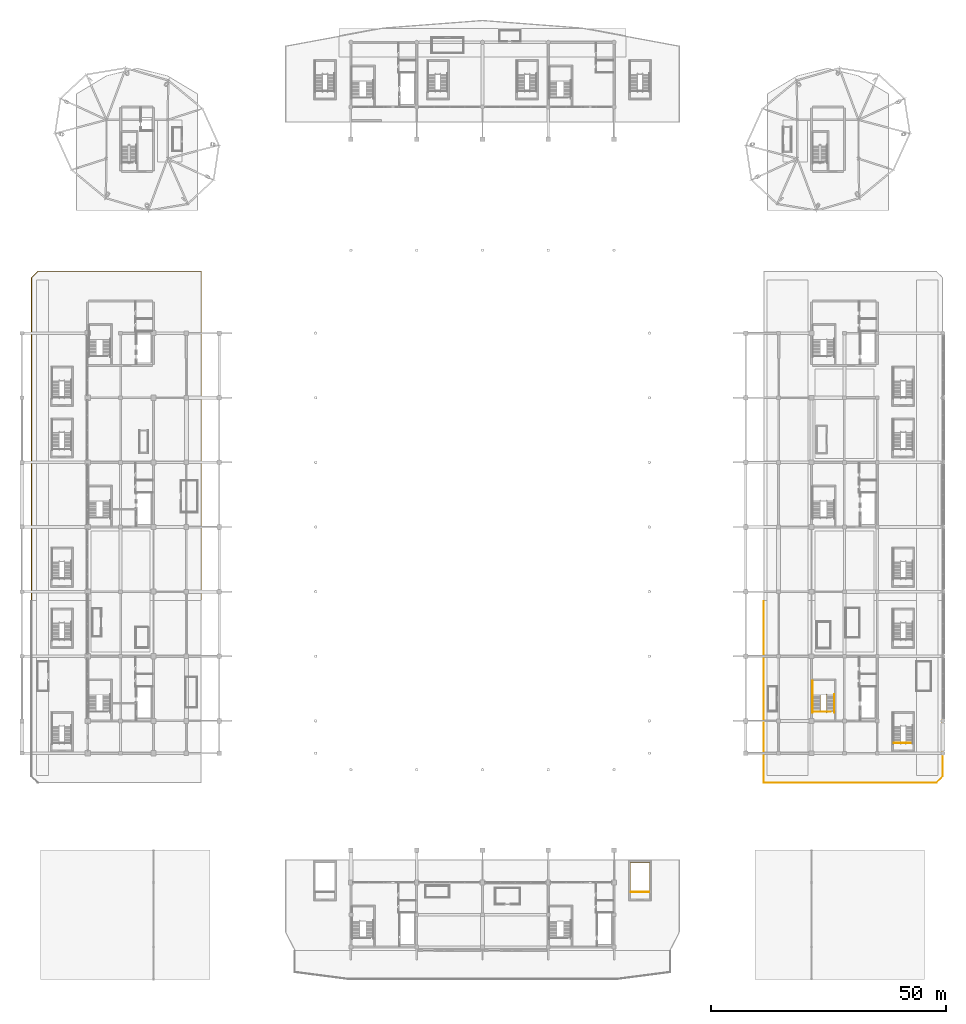
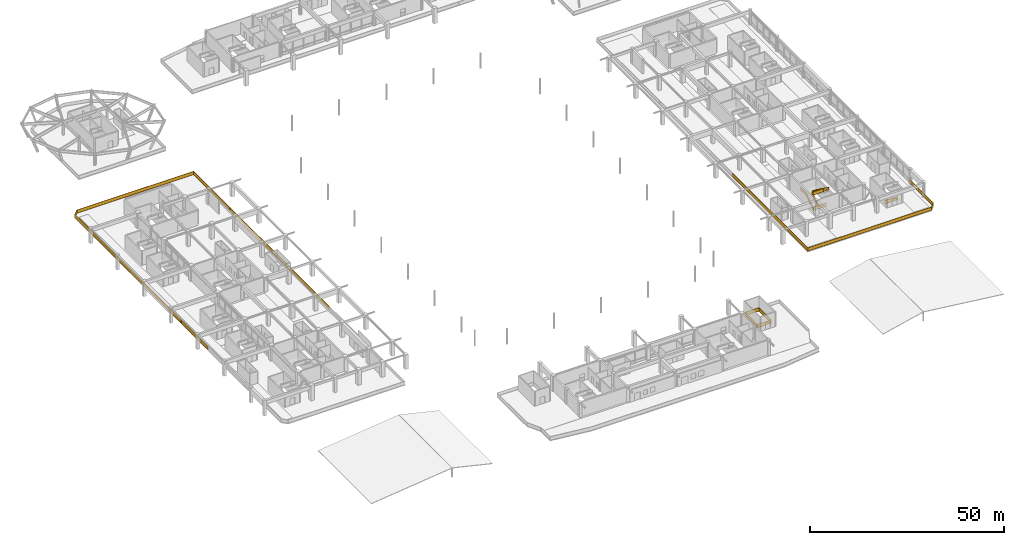
# One storey, part 83 of 91: 10 railings.
"""IFC4 building model written with IfcOpenShell, lengths in metres."""

from ifc_helpers import new_model, si_unit, direction, frame, origin, origin_2d, place, context, subcontext, project, spatial, rectangle, extrude, material, type_object, element, save


model = new_model("IFC4")

# Units and contexts
model_context = context("Model", 3, precision=1e-05, world=origin(), true_north=direction((0.0, 1.0)))
body_context = subcontext(model_context, "Body", "Model", "MODEL_VIEW")
ifc_project = project(units=[si_unit("LENGTHUNIT", "METRE"), si_unit("AREAUNIT", "SQUARE_METRE"), si_unit("VOLUMEUNIT", "CUBIC_METRE"), si_unit("PLANEANGLEUNIT", "RADIAN"), si_unit("MASSUNIT", "GRAM", prefix="KILO")], contexts=[model_context])

# Site, building, storey
site_placement = place(None, origin())
site = spatial("IfcSite", under=ifc_project, at=site_placement, CompositionType="ELEMENT")
building_placement = place(site_placement, origin())
building = spatial("IfcBuilding", under=site, at=building_placement, Name="Linyun Crest Stadium", CompositionType="ELEMENT")
storey_placement = place(building_placement, frame((0.0, 0.0, 11.39990234375)))
storey = spatial("IfcBuildingStorey", under=building, at=storey_placement, Name="L03", CompositionType="ELEMENT", Elevation=11.39990234375)

# Railings
ifc_material_1 = material(Name="Galvanized and powder-coated steel bowl safety barrier", Category="steel")
railing_type_1 = type_object("IfcRailingType", Name="GR02", PredefinedType="GUARDRAIL", material=ifc_material_1)
railing_1_placement = place(storey_placement, frame((-95.93994140625, -13.330078125, 0.0)))
element("IfcRailing", 1, at=railing_1_placement, inside=storey, type_object=railing_type_1, Name="Slab edge balustrade GR02 44", PredefinedType="GUARDRAIL", context=body_context, shape_type="SweptSolid", body=[
    extrude(rectangle(XDim=0.06005859375, YDim=0.06005859375, at=origin_2d()), frame((0.0, 0.0, 1.090087890625), z_axis=(0.0, 1.0, 0.0), x_axis=(-1.0, 0.0, 0.0)), (0.0, 0.0, 1.0), 68.489990234375),
    extrude(rectangle(XDim=0.030029296875, YDim=1.0, at=origin_2d()), frame((0.0, 0.0, 0.56005859375), z_axis=(0.0, 1.0, 0.0), x_axis=(-1.0, 0.0, 0.0)), (0.0, 0.0, 1.0), 68.489990234375),
    extrude(rectangle(XDim=0.06005859375, YDim=0.06005859375, at=origin_2d()), frame((0.0, 0.0, 0.030029296875), z_axis=(0.0, 1.0, 0.0), x_axis=(-1.0, 0.0, 0.0)), (0.0, 0.0, 1.0), 68.489990234375),
    extrude(rectangle(XDim=0.06005859375, YDim=0.06005859375, at=origin_2d()), frame((0.0, 68.489990234375, 1.090087890625), z_axis=(0.707106781187, 0.707106781187, 0.0), x_axis=(-0.707106781187, 0.707106781187, 0.0)), (0.0, 0.0, 1.0), 1.930419921875),
    extrude(rectangle(XDim=0.030029296875, YDim=1.0, at=origin_2d()), frame((0.0, 68.489990234375, 0.56005859375), z_axis=(0.707106781187, 0.707106781187, 0.0), x_axis=(-0.707106781187, 0.707106781187, 0.0)), (0.0, 0.0, 1.0), 1.930419921875),
    extrude(rectangle(XDim=0.06005859375, YDim=0.06005859375, at=origin_2d()), frame((0.0, 68.489990234375, 0.030029296875), z_axis=(0.707106781187, 0.707106781187, 0.0), x_axis=(-0.707106781187, 0.707106781187, 0.0)), (0.0, 0.0, 1.0), 1.930419921875),
    extrude(rectangle(XDim=0.06005859375, YDim=0.06005859375, at=origin_2d()), frame((1.364990234375, 69.85498046875, 1.090087890625), z_axis=(1.0, 0.0, 0.0), x_axis=(0.0, 1.0, 0.0)), (0.0, 0.0, 1.0), 34.71484375),
    extrude(rectangle(XDim=0.030029296875, YDim=1.0, at=origin_2d()), frame((1.364990234375, 69.85498046875, 0.56005859375), z_axis=(1.0, 0.0, 0.0), x_axis=(0.0, 1.0, 0.0)), (0.0, 0.0, 1.0), 34.71484375),
    extrude(rectangle(XDim=0.06005859375, YDim=0.06005859375, at=origin_2d()), frame((1.364990234375, 69.85498046875, 0.030029296875), z_axis=(1.0, 0.0, 0.0), x_axis=(0.0, 1.0, 0.0)), (0.0, 0.0, 1.0), 34.71484375),
    extrude(rectangle(XDim=0.06005859375, YDim=0.06005859375, at=origin_2d()), frame((36.079833984375, 69.85498046875, 1.090087890625), z_axis=(0.0, -1.0, 0.0), x_axis=(1.0, 0.0, 0.0)), (0.0, 0.0, 1.0), 69.85498046875),
    extrude(rectangle(XDim=0.030029296875, YDim=1.0, at=origin_2d()), frame((36.079833984375, 69.85498046875, 0.56005859375), z_axis=(0.0, -1.0, 0.0), x_axis=(1.0, 0.0, 0.0)), (0.0, 0.0, 1.0), 69.85498046875),
    extrude(rectangle(XDim=0.06005859375, YDim=0.06005859375, at=origin_2d()), frame((36.079833984375, 69.85498046875, 0.030029296875), z_axis=(0.0, -1.0, 0.0), x_axis=(1.0, 0.0, 0.0)), (0.0, 0.0, 1.0), 69.85498046875),
    extrude(rectangle(XDim=0.050048828125, YDim=0.050048828125, at=origin_2d()), origin(), (0.0, 0.0, 1.0), 1.1201171875),
    extrude(rectangle(XDim=0.050048828125, YDim=0.050048828125, at=origin_2d()), frame((0.0, 4.56591796875, 0.0)), (0.0, 0.0, 1.0), 1.1201171875),
    extrude(rectangle(XDim=0.050048828125, YDim=0.050048828125, at=origin_2d()), frame((0.0, 9.132080078125, 0.0)), (0.0, 0.0, 1.0), 1.1201171875),
    extrude(rectangle(XDim=0.050048828125, YDim=0.050048828125, at=origin_2d()), frame((0.0, 13.697998046875, 0.0)), (0.0, 0.0, 1.0), 1.1201171875),
    extrude(rectangle(XDim=0.050048828125, YDim=0.050048828125, at=origin_2d()), frame((0.0, 18.263916015625, 0.0)), (0.0, 0.0, 1.0), 1.1201171875),
    extrude(rectangle(XDim=0.050048828125, YDim=0.050048828125, at=origin_2d()), frame((0.0, 22.830078125, 0.0)), (0.0, 0.0, 1.0), 1.1201171875),
    extrude(rectangle(XDim=0.050048828125, YDim=0.050048828125, at=origin_2d()), frame((0.0, 27.39599609375, 0.0)), (0.0, 0.0, 1.0), 1.1201171875),
    extrude(rectangle(XDim=0.050048828125, YDim=0.050048828125, at=origin_2d()), frame((0.0, 31.9619140625, 0.0)), (0.0, 0.0, 1.0), 1.1201171875),
    extrude(rectangle(XDim=0.050048828125, YDim=0.050048828125, at=origin_2d()), frame((0.0, 36.528076171875, 0.0)), (0.0, 0.0, 1.0), 1.1201171875),
    extrude(rectangle(XDim=0.050048828125, YDim=0.050048828125, at=origin_2d()), frame((0.0, 41.093994140625, 0.0)), (0.0, 0.0, 1.0), 1.1201171875),
    extrude(rectangle(XDim=0.050048828125, YDim=0.050048828125, at=origin_2d()), frame((0.0, 45.659912109375, 0.0)), (0.0, 0.0, 1.0), 1.1201171875),
    extrude(rectangle(XDim=0.050048828125, YDim=0.050048828125, at=origin_2d()), frame((0.0, 50.22607421875, 0.0)), (0.0, 0.0, 1.0), 1.1201171875),
    extrude(rectangle(XDim=0.050048828125, YDim=0.050048828125, at=origin_2d()), frame((0.0, 54.7919921875, 0.0)), (0.0, 0.0, 1.0), 1.1201171875),
    extrude(rectangle(XDim=0.050048828125, YDim=0.050048828125, at=origin_2d()), frame((0.0, 59.35791015625, 0.0)), (0.0, 0.0, 1.0), 1.1201171875),
    extrude(rectangle(XDim=0.050048828125, YDim=0.050048828125, at=origin_2d()), frame((0.0, 63.924072265625, 0.0)), (0.0, 0.0, 1.0), 1.1201171875),
    extrude(rectangle(XDim=0.050048828125, YDim=0.050048828125, at=origin_2d()), frame((0.0, 68.489990234375, 0.0)), (0.0, 0.0, 1.0), 1.1201171875),
    extrude(rectangle(XDim=0.050048828125, YDim=0.050048828125, at=origin_2d()), frame((1.364990234375, 69.85498046875, 0.0)), (0.0, 0.0, 1.0), 1.1201171875),
    extrude(rectangle(XDim=0.050048828125, YDim=0.050048828125, at=origin_2d()), frame((5.704345703125, 69.85498046875, 0.0)), (0.0, 0.0, 1.0), 1.1201171875),
    extrude(rectangle(XDim=0.050048828125, YDim=0.050048828125, at=origin_2d()), frame((10.043701171875, 69.85498046875, 0.0)), (0.0, 0.0, 1.0), 1.1201171875),
    extrude(rectangle(XDim=0.050048828125, YDim=0.050048828125, at=origin_2d()), frame((14.383056640625, 69.85498046875, 0.0)), (0.0, 0.0, 1.0), 1.1201171875),
    extrude(rectangle(XDim=0.050048828125, YDim=0.050048828125, at=origin_2d()), frame((18.722412109375, 69.85498046875, 0.0)), (0.0, 0.0, 1.0), 1.1201171875),
    extrude(rectangle(XDim=0.050048828125, YDim=0.050048828125, at=origin_2d()), frame((23.061767578125, 69.85498046875, 0.0)), (0.0, 0.0, 1.0), 1.1201171875),
    extrude(rectangle(XDim=0.050048828125, YDim=0.050048828125, at=origin_2d()), frame((27.401123046875, 69.85498046875, 0.0)), (0.0, 0.0, 1.0), 1.1201171875),
    extrude(rectangle(XDim=0.050048828125, YDim=0.050048828125, at=origin_2d()), frame((31.740478515625, 69.85498046875, 0.0)), (0.0, 0.0, 1.0), 1.1201171875),
    extrude(rectangle(XDim=0.050048828125, YDim=0.050048828125, at=origin_2d()), frame((36.079833984375, 69.85498046875, 0.0)), (0.0, 0.0, 1.0), 1.1201171875),
    extrude(rectangle(XDim=0.050048828125, YDim=0.050048828125, at=origin_2d()), frame((36.079833984375, 65.197998046875, 0.0)), (0.0, 0.0, 1.0), 1.1201171875),
    extrude(rectangle(XDim=0.050048828125, YDim=0.050048828125, at=origin_2d()), frame((36.079833984375, 60.541015625, 0.0)), (0.0, 0.0, 1.0), 1.1201171875),
    extrude(rectangle(XDim=0.050048828125, YDim=0.050048828125, at=origin_2d()), frame((36.079833984375, 55.884033203125, 0.0)), (0.0, 0.0, 1.0), 1.1201171875),
    extrude(rectangle(XDim=0.050048828125, YDim=0.050048828125, at=origin_2d()), frame((36.079833984375, 51.22705078125, 0.0)), (0.0, 0.0, 1.0), 1.1201171875),
    extrude(rectangle(XDim=0.050048828125, YDim=0.050048828125, at=origin_2d()), frame((36.079833984375, 46.570068359375, 0.0)), (0.0, 0.0, 1.0), 1.1201171875),
    extrude(rectangle(XDim=0.050048828125, YDim=0.050048828125, at=origin_2d()), frame((36.079833984375, 41.9130859375, 0.0)), (0.0, 0.0, 1.0), 1.1201171875),
    extrude(rectangle(XDim=0.050048828125, YDim=0.050048828125, at=origin_2d()), frame((36.079833984375, 37.256103515625, 0.0)), (0.0, 0.0, 1.0), 1.1201171875),
    extrude(rectangle(XDim=0.050048828125, YDim=0.050048828125, at=origin_2d()), frame((36.079833984375, 32.598876953125, 0.0)), (0.0, 0.0, 1.0), 1.1201171875),
    extrude(rectangle(XDim=0.050048828125, YDim=0.050048828125, at=origin_2d()), frame((36.079833984375, 27.94189453125, 0.0)), (0.0, 0.0, 1.0), 1.1201171875),
    extrude(rectangle(XDim=0.050048828125, YDim=0.050048828125, at=origin_2d()), frame((36.079833984375, 23.284912109375, 0.0)), (0.0, 0.0, 1.0), 1.1201171875),
    extrude(rectangle(XDim=0.050048828125, YDim=0.050048828125, at=origin_2d()), frame((36.079833984375, 18.6279296875, 0.0)), (0.0, 0.0, 1.0), 1.1201171875),
    extrude(rectangle(XDim=0.050048828125, YDim=0.050048828125, at=origin_2d()), frame((36.079833984375, 13.970947265625, 0.0)), (0.0, 0.0, 1.0), 1.1201171875),
    extrude(rectangle(XDim=0.050048828125, YDim=0.050048828125, at=origin_2d()), frame((36.079833984375, 9.31396484375, 0.0)), (0.0, 0.0, 1.0), 1.1201171875),
    extrude(rectangle(XDim=0.050048828125, YDim=0.050048828125, at=origin_2d()), frame((36.079833984375, 4.656982421875, 0.0)), (0.0, 0.0, 1.0), 1.1201171875),
    extrude(rectangle(XDim=0.050048828125, YDim=0.050048828125, at=origin_2d()), frame((36.079833984375, 0.0, 0.0)), (0.0, 0.0, 1.0), 1.1201171875),
])
railing_2_placement = place(storey_placement, frame((59.860107421875, -52.27490234375, 0.0)))
element("IfcRailing", 2, at=railing_2_placement, inside=storey, type_object=railing_type_1, Name="Slab edge balustrade GR02 136", PredefinedType="GUARDRAIL", context=body_context, shape_type="SweptSolid", body=[
    extrude(rectangle(XDim=0.06005859375, YDim=0.06005859375, at=origin_2d()), frame((0.0, 0.0, 1.090087890625), z_axis=(0.0, 1.0, 0.0), x_axis=(-1.0, 0.0, 0.0)), (0.0, 0.0, 1.0), 38.60498046875),
    extrude(rectangle(XDim=0.030029296875, YDim=1.0, at=origin_2d()), frame((0.0, 0.0, 0.56005859375), z_axis=(0.0, 1.0, 0.0), x_axis=(-1.0, 0.0, 0.0)), (0.0, 0.0, 1.0), 38.60498046875),
    extrude(rectangle(XDim=0.06005859375, YDim=0.06005859375, at=origin_2d()), frame((0.0, 0.0, 0.030029296875), z_axis=(0.0, 1.0, 0.0), x_axis=(-1.0, 0.0, 0.0)), (0.0, 0.0, 1.0), 38.60498046875),
    extrude(rectangle(XDim=0.050048828125, YDim=0.050048828125, at=origin_2d()), origin(), (0.0, 0.0, 1.0), 1.1201171875),
    extrude(rectangle(XDim=0.050048828125, YDim=0.050048828125, at=origin_2d()), frame((0.0, 4.28955078125, 0.0)), (0.0, 0.0, 1.0), 1.1201171875),
    extrude(rectangle(XDim=0.050048828125, YDim=0.050048828125, at=origin_2d()), frame((0.0, 8.578857421875, 0.0)), (0.0, 0.0, 1.0), 1.1201171875),
    extrude(rectangle(XDim=0.050048828125, YDim=0.050048828125, at=origin_2d()), frame((0.0, 12.868408203125, 0.0)), (0.0, 0.0, 1.0), 1.1201171875),
    extrude(rectangle(XDim=0.050048828125, YDim=0.050048828125, at=origin_2d()), frame((0.0, 17.15771484375, 0.0)), (0.0, 0.0, 1.0), 1.1201171875),
    extrude(rectangle(XDim=0.050048828125, YDim=0.050048828125, at=origin_2d()), frame((0.0, 21.447265625, 0.0)), (0.0, 0.0, 1.0), 1.1201171875),
    extrude(rectangle(XDim=0.050048828125, YDim=0.050048828125, at=origin_2d()), frame((0.0, 25.736572265625, 0.0)), (0.0, 0.0, 1.0), 1.1201171875),
    extrude(rectangle(XDim=0.050048828125, YDim=0.050048828125, at=origin_2d()), frame((0.0, 30.026123046875, 0.0)), (0.0, 0.0, 1.0), 1.1201171875),
    extrude(rectangle(XDim=0.050048828125, YDim=0.050048828125, at=origin_2d()), frame((0.0, 34.3154296875, 0.0)), (0.0, 0.0, 1.0), 1.1201171875),
    extrude(rectangle(XDim=0.050048828125, YDim=0.050048828125, at=origin_2d()), frame((0.0, 38.60498046875, 0.0)), (0.0, 0.0, 1.0), 1.1201171875),
])
railing_3_placement = place(storey_placement, frame((97.93994140625, -38.574951171875, 0.0)))
element("IfcRailing", 3, at=railing_3_placement, inside=storey, type_object=railing_type_1, Name="Slab edge balustrade GR02 138", PredefinedType="GUARDRAIL", context=body_context, shape_type="SweptSolid", body=[
    extrude(rectangle(XDim=0.06005859375, YDim=0.06005859375, at=origin_2d()), frame((0.0, 0.0, 1.090087890625), z_axis=(0.0, -1.0, 0.0), x_axis=(1.0, 0.0, 0.0)), (0.0, 0.0, 1.0), 12.3349609375),
    extrude(rectangle(XDim=0.030029296875, YDim=1.0, at=origin_2d()), frame((0.0, 0.0, 0.56005859375), z_axis=(0.0, -1.0, 0.0), x_axis=(1.0, 0.0, 0.0)), (0.0, 0.0, 1.0), 12.3349609375),
    extrude(rectangle(XDim=0.06005859375, YDim=0.06005859375, at=origin_2d()), frame((0.0, 0.0, 0.030029296875), z_axis=(0.0, -1.0, 0.0), x_axis=(1.0, 0.0, 0.0)), (0.0, 0.0, 1.0), 12.3349609375),
    extrude(rectangle(XDim=0.06005859375, YDim=0.06005859375, at=origin_2d()), frame((0.0, -12.3349609375, 1.090087890625), z_axis=(-0.707106781187, -0.707106781187, 0.0), x_axis=(0.707106781187, -0.707106781187, 0.0)), (0.0, 0.0, 1.0), 1.930419921875),
    extrude(rectangle(XDim=0.030029296875, YDim=1.0, at=origin_2d()), frame((0.0, -12.3349609375, 0.56005859375), z_axis=(-0.707106781187, -0.707106781187, 0.0), x_axis=(0.707106781187, -0.707106781187, 0.0)), (0.0, 0.0, 1.0), 1.930419921875),
    extrude(rectangle(XDim=0.06005859375, YDim=0.06005859375, at=origin_2d()), frame((0.0, -12.3349609375, 0.030029296875), z_axis=(-0.707106781187, -0.707106781187, 0.0), x_axis=(0.707106781187, -0.707106781187, 0.0)), (0.0, 0.0, 1.0), 1.930419921875),
    extrude(rectangle(XDim=0.06005859375, YDim=0.06005859375, at=origin_2d()), frame((-1.364990234375, -13.699951171875, 1.090087890625), z_axis=(-1.0, 0.0, 0.0), x_axis=(0.0, -1.0, 0.0)), (0.0, 0.0, 1.0), 36.71484375),
    extrude(rectangle(XDim=0.030029296875, YDim=1.0, at=origin_2d()), frame((-1.364990234375, -13.699951171875, 0.56005859375), z_axis=(-1.0, 0.0, 0.0), x_axis=(0.0, -1.0, 0.0)), (0.0, 0.0, 1.0), 36.71484375),
    extrude(rectangle(XDim=0.06005859375, YDim=0.06005859375, at=origin_2d()), frame((-1.364990234375, -13.699951171875, 0.030029296875), z_axis=(-1.0, 0.0, 0.0), x_axis=(0.0, -1.0, 0.0)), (0.0, 0.0, 1.0), 36.71484375),
    extrude(rectangle(XDim=0.050048828125, YDim=0.050048828125, at=origin_2d()), origin(), (0.0, 0.0, 1.0), 1.1201171875),
    extrude(rectangle(XDim=0.050048828125, YDim=0.050048828125, at=origin_2d()), frame((0.0, -4.111572265625, 0.0)), (0.0, 0.0, 1.0), 1.1201171875),
    extrude(rectangle(XDim=0.050048828125, YDim=0.050048828125, at=origin_2d()), frame((0.0, -8.223388671875, 0.0)), (0.0, 0.0, 1.0), 1.1201171875),
    extrude(rectangle(XDim=0.050048828125, YDim=0.050048828125, at=origin_2d()), frame((0.0, -12.3349609375, 0.0)), (0.0, 0.0, 1.0), 1.1201171875),
    extrude(rectangle(XDim=0.050048828125, YDim=0.050048828125, at=origin_2d()), frame((-1.364990234375, -13.699951171875, 0.0)), (0.0, 0.0, 1.0), 1.1201171875),
    extrude(rectangle(XDim=0.050048828125, YDim=0.050048828125, at=origin_2d()), frame((-5.954345703125, -13.699951171875, 0.0)), (0.0, 0.0, 1.0), 1.1201171875),
    extrude(rectangle(XDim=0.050048828125, YDim=0.050048828125, at=origin_2d()), frame((-10.543701171875, -13.699951171875, 0.0)), (0.0, 0.0, 1.0), 1.1201171875),
    extrude(rectangle(XDim=0.050048828125, YDim=0.050048828125, at=origin_2d()), frame((-15.133056640625, -13.699951171875, 0.0)), (0.0, 0.0, 1.0), 1.1201171875),
    extrude(rectangle(XDim=0.050048828125, YDim=0.050048828125, at=origin_2d()), frame((-19.722412109375, -13.699951171875, 0.0)), (0.0, 0.0, 1.0), 1.1201171875),
    extrude(rectangle(XDim=0.050048828125, YDim=0.050048828125, at=origin_2d()), frame((-24.311767578125, -13.699951171875, 0.0)), (0.0, 0.0, 1.0), 1.1201171875),
    extrude(rectangle(XDim=0.050048828125, YDim=0.050048828125, at=origin_2d()), frame((-28.901123046875, -13.699951171875, 0.0)), (0.0, 0.0, 1.0), 1.1201171875),
    extrude(rectangle(XDim=0.050048828125, YDim=0.050048828125, at=origin_2d()), frame((-33.490478515625, -13.699951171875, 0.0)), (0.0, 0.0, 1.0), 1.1201171875),
    extrude(rectangle(XDim=0.050048828125, YDim=0.050048828125, at=origin_2d()), frame((-38.079833984375, -13.699951171875, 0.0)), (0.0, 0.0, 1.0), 1.1201171875),
])
railing_4_placement = place(storey_placement, frame((87.5400390625, -43.81005859375, 0.0)))
element("IfcRailing", 4, at=railing_4_placement, inside=storey, type_object=railing_type_1, Name="Slab edge balustrade GR02 139", PredefinedType="GUARDRAIL", context=body_context, shape_type="SweptSolid", body=[
    extrude(rectangle(XDim=0.06005859375, YDim=0.06005859375, at=origin_2d()), frame((0.0, 0.0, 1.090087890625), z_axis=(1.0, 0.0, 0.0), x_axis=(0.0, 1.0, 0.0)), (0.0, 0.0, 1.0), 3.919921875),
    extrude(rectangle(XDim=0.030029296875, YDim=1.0, at=origin_2d()), frame((0.0, 0.0, 0.56005859375), z_axis=(1.0, 0.0, 0.0), x_axis=(0.0, 1.0, 0.0)), (0.0, 0.0, 1.0), 3.919921875),
    extrude(rectangle(XDim=0.06005859375, YDim=0.06005859375, at=origin_2d()), frame((0.0, 0.0, 0.030029296875), z_axis=(1.0, 0.0, 0.0), x_axis=(0.0, 1.0, 0.0)), (0.0, 0.0, 1.0), 3.919921875),
    extrude(rectangle(XDim=0.050048828125, YDim=0.050048828125, at=origin_2d()), origin(), (0.0, 0.0, 1.0), 1.1201171875),
    extrude(rectangle(XDim=0.050048828125, YDim=0.050048828125, at=origin_2d()), frame((3.919921875, 0.0, 0.0)), (0.0, 0.0, 1.0), 1.1201171875),
])
railing_5_placement = place(storey_placement, frame((70.31494140625, -37.1650390625, 0.0)))
element("IfcRailing", 5, at=railing_5_placement, inside=storey, type_object=railing_type_1, Name="Slab edge balustrade GR02 142", PredefinedType="GUARDRAIL", context=body_context, shape_type="SweptSolid", body=[
    extrude(rectangle(XDim=0.06005859375, YDim=0.06005859375, at=origin_2d()), frame((0.0, 0.0, 1.090087890625), z_axis=(1.0, 0.0, 0.0), x_axis=(0.0, 1.0, 0.0)), (0.0, 0.0, 1.0), 3.78515625),
    extrude(rectangle(XDim=0.030029296875, YDim=1.0, at=origin_2d()), frame((0.0, 0.0, 0.56005859375), z_axis=(1.0, 0.0, 0.0), x_axis=(0.0, 1.0, 0.0)), (0.0, 0.0, 1.0), 3.78515625),
    extrude(rectangle(XDim=0.06005859375, YDim=0.06005859375, at=origin_2d()), frame((0.0, 0.0, 0.030029296875), z_axis=(1.0, 0.0, 0.0), x_axis=(0.0, 1.0, 0.0)), (0.0, 0.0, 1.0), 3.78515625),
    extrude(rectangle(XDim=0.050048828125, YDim=0.050048828125, at=origin_2d()), origin(), (0.0, 0.0, 1.0), 1.1201171875),
    extrude(rectangle(XDim=0.050048828125, YDim=0.050048828125, at=origin_2d()), frame((3.78515625, 0.0, 0.0)), (0.0, 0.0, 1.0), 1.1201171875),
])
railing_6_placement = place(storey_placement, frame((31.5400390625, -75.510009765625, 0.0)))
element("IfcRailing", 6, at=railing_6_placement, inside=storey, type_object=railing_type_1, Name="Slab edge balustrade GR02 262", PredefinedType="GUARDRAIL", context=body_context, shape_type="SweptSolid", body=[
    extrude(rectangle(XDim=0.06005859375, YDim=0.06005859375, at=origin_2d()), frame((0.0, 0.0, 1.090087890625), z_axis=(1.0, 0.0, 0.0), x_axis=(0.0, 1.0, 0.0)), (0.0, 0.0, 1.0), 3.919921875),
    extrude(rectangle(XDim=0.030029296875, YDim=1.0, at=origin_2d()), frame((0.0, 0.0, 0.56005859375), z_axis=(1.0, 0.0, 0.0), x_axis=(0.0, 1.0, 0.0)), (0.0, 0.0, 1.0), 3.919921875),
    extrude(rectangle(XDim=0.06005859375, YDim=0.06005859375, at=origin_2d()), frame((0.0, 0.0, 0.030029296875), z_axis=(1.0, 0.0, 0.0), x_axis=(0.0, 1.0, 0.0)), (0.0, 0.0, 1.0), 3.919921875),
    extrude(rectangle(XDim=0.050048828125, YDim=0.050048828125, at=origin_2d()), origin(), (0.0, 0.0, 1.0), 1.1201171875),
    extrude(rectangle(XDim=0.050048828125, YDim=0.050048828125, at=origin_2d()), frame((3.919921875, 0.0, 0.0)), (0.0, 0.0, 1.0), 1.1201171875),
])
ifc_material_2 = material(Name="Painted steel stairwell safety guard", Category="steel")
railing_type_2 = type_object("IfcRailingType", Name="GR03", PredefinedType="GUARDRAIL", material=ifc_material_2)
railing_7_placement = place(storey_placement, frame((70.205078125, -37.135009765625, 0.0)))
element("IfcRailing", 7, at=railing_7_placement, inside=storey, type_object=railing_type_2, Name="STR-04-L03 outer guard", PredefinedType="GUARDRAIL", context=body_context, shape_type="SweptSolid", body=[
    extrude(rectangle(XDim=0.06005859375, YDim=0.06005859375, at=origin_2d()), frame((0.0, 0.0, 1.090087890625), z_axis=(0.0, 0.824712752785, 0.565551832633), x_axis=(-1.0, 0.0, 0.0)), (0.0, 0.0, 1.0), 4.243896484375),
    extrude(rectangle(XDim=0.030029296875, YDim=1.0, at=origin_2d()), frame((0.0, 0.0, 0.56005859375), z_axis=(0.0, 0.824712752785, 0.565551832633), x_axis=(-1.0, 0.0, 0.0)), (0.0, 0.0, 1.0), 4.243896484375),
    extrude(rectangle(XDim=0.06005859375, YDim=0.06005859375, at=origin_2d()), frame((0.0, 0.0, 0.030029296875), z_axis=(0.0, 0.824712752785, 0.565551832633), x_axis=(-1.0, 0.0, 0.0)), (0.0, 0.0, 1.0), 4.243896484375),
    extrude(rectangle(XDim=0.06005859375, YDim=0.06005859375, at=origin_2d()), frame((0.0, 3.5, 3.490234375), z_axis=(0.0, 1.0, 0.0), x_axis=(-1.0, 0.0, 0.0)), (0.0, 0.0, 1.0), 3.080078125),
    extrude(rectangle(XDim=0.030029296875, YDim=1.0, at=origin_2d()), frame((0.0, 3.5, 2.960205078125), z_axis=(0.0, 1.0, 0.0), x_axis=(-1.0, 0.0, 0.0)), (0.0, 0.0, 1.0), 3.080078125),
    extrude(rectangle(XDim=0.06005859375, YDim=0.06005859375, at=origin_2d()), frame((0.0, 3.5, 2.43017578125), z_axis=(0.0, 1.0, 0.0), x_axis=(-1.0, 0.0, 0.0)), (0.0, 0.0, 1.0), 3.080078125),
    extrude(rectangle(XDim=0.050048828125, YDim=0.050048828125, at=origin_2d()), origin(), (0.0, 0.0, 1.0), 1.1201171875),
    extrude(rectangle(XDim=0.050048828125, YDim=0.050048828125, at=origin_2d()), frame((0.0, 1.166748046875, 0.800048828125)), (0.0, 0.0, 1.0), 1.1201171875),
    extrude(rectangle(XDim=0.050048828125, YDim=0.050048828125, at=origin_2d()), frame((0.0, 2.333251953125, 1.60009765625)), (0.0, 0.0, 1.0), 1.1201171875),
    extrude(rectangle(XDim=0.050048828125, YDim=0.050048828125, at=origin_2d()), frame((0.0, 3.5, 2.400146484375)), (0.0, 0.0, 1.0), 1.1201171875),
    extrude(rectangle(XDim=0.050048828125, YDim=0.050048828125, at=origin_2d()), frame((0.0, 5.0400390625, 2.400146484375)), (0.0, 0.0, 1.0), 1.1201171875),
    extrude(rectangle(XDim=0.050048828125, YDim=0.050048828125, at=origin_2d()), frame((0.0, 6.580078125, 2.400146484375)), (0.0, 0.0, 1.0), 1.1201171875),
])
railing_8_placement = place(storey_placement, frame((71.844970703125, -37.155029296875, 0.0)))
element("IfcRailing", 8, at=railing_8_placement, inside=storey, type_object=railing_type_2, Name="STR-04-L03 inner well guard", PredefinedType="GUARDRAIL", context=body_context, shape_type="SweptSolid", body=[
    extrude(rectangle(XDim=0.06005859375, YDim=0.06005859375, at=origin_2d()), frame((0.0, 0.0, 1.090087890625), z_axis=(0.0, 0.826212794201, 0.563358162005), x_axis=(-1.0, 0.0, 0.0)), (0.0, 0.0, 1.0), 4.260498046875),
    extrude(rectangle(XDim=0.030029296875, YDim=1.0, at=origin_2d()), frame((0.0, 0.0, 0.56005859375), z_axis=(0.0, 0.826212794201, 0.563358162005), x_axis=(-1.0, 0.0, 0.0)), (0.0, 0.0, 1.0), 4.260498046875),
    extrude(rectangle(XDim=0.06005859375, YDim=0.06005859375, at=origin_2d()), frame((0.0, 0.0, 0.030029296875), z_axis=(0.0, 0.826212794201, 0.563358162005), x_axis=(-1.0, 0.0, 0.0)), (0.0, 0.0, 1.0), 4.260498046875),
    extrude(rectangle(XDim=0.06005859375, YDim=0.06005859375, at=origin_2d()), frame((0.0, 3.52001953125, 3.490234375), z_axis=(1.0, 0.0, 0.0), x_axis=(0.0, 1.0, 0.0)), (0.0, 0.0, 1.0), 1.385009765625),
    extrude(rectangle(XDim=0.030029296875, YDim=1.0, at=origin_2d()), frame((0.0, 3.52001953125, 2.960205078125), z_axis=(1.0, 0.0, 0.0), x_axis=(0.0, 1.0, 0.0)), (0.0, 0.0, 1.0), 1.385009765625),
    extrude(rectangle(XDim=0.06005859375, YDim=0.06005859375, at=origin_2d()), frame((0.0, 3.52001953125, 2.43017578125), z_axis=(1.0, 0.0, 0.0), x_axis=(0.0, 1.0, 0.0)), (0.0, 0.0, 1.0), 1.385009765625),
    extrude(rectangle(XDim=0.06005859375, YDim=0.06005859375, at=origin_2d()), frame((1.385009765625, 3.52001953125, 3.490234375), z_axis=(0.0, -0.826239466617, 0.563319042644), x_axis=(1.0, 0.0, 0.0)), (0.0, 0.0, 1.0), 4.26025390625),
    extrude(rectangle(XDim=0.030029296875, YDim=1.0, at=origin_2d()), frame((1.385009765625, 3.52001953125, 2.960205078125), z_axis=(0.0, -0.826239466617, 0.563319042644), x_axis=(1.0, 0.0, 0.0)), (0.0, 0.0, 1.0), 4.26025390625),
    extrude(rectangle(XDim=0.06005859375, YDim=0.06005859375, at=origin_2d()), frame((1.385009765625, 3.52001953125, 2.43017578125), z_axis=(0.0, -0.826239466617, 0.563319042644), x_axis=(1.0, 0.0, 0.0)), (0.0, 0.0, 1.0), 4.26025390625),
    extrude(rectangle(XDim=0.06005859375, YDim=0.06005859375, at=origin_2d()), frame((1.385009765625, 0.0, 5.89013671875), z_axis=(-1.0, 0.0, 0.0), x_axis=(0.0, -1.0, 0.0)), (0.0, 0.0, 1.0), 3.034912109375),
    extrude(rectangle(XDim=0.030029296875, YDim=1.0, at=origin_2d()), frame((1.385009765625, 0.0, 5.360107421875), z_axis=(-1.0, 0.0, 0.0), x_axis=(0.0, -1.0, 0.0)), (0.0, 0.0, 1.0), 3.034912109375),
    extrude(rectangle(XDim=0.06005859375, YDim=0.06005859375, at=origin_2d()), frame((1.385009765625, 0.0, 4.830078125), z_axis=(-1.0, 0.0, 0.0), x_axis=(0.0, -1.0, 0.0)), (0.0, 0.0, 1.0), 3.034912109375),
    extrude(rectangle(XDim=0.050048828125, YDim=0.050048828125, at=origin_2d()), origin(), (0.0, 0.0, 1.0), 1.1201171875),
    extrude(rectangle(XDim=0.050048828125, YDim=0.050048828125, at=origin_2d()), frame((0.0, 1.17333984375, 0.800048828125)), (0.0, 0.0, 1.0), 1.1201171875),
    extrude(rectangle(XDim=0.050048828125, YDim=0.050048828125, at=origin_2d()), frame((0.0, 2.3466796875, 1.60009765625)), (0.0, 0.0, 1.0), 1.1201171875),
    extrude(rectangle(XDim=0.050048828125, YDim=0.050048828125, at=origin_2d()), frame((0.0, 3.52001953125, 2.400146484375)), (0.0, 0.0, 1.0), 1.1201171875),
    extrude(rectangle(XDim=0.050048828125, YDim=0.050048828125, at=origin_2d()), frame((1.385009765625, 3.52001953125, 2.400146484375)), (0.0, 0.0, 1.0), 1.1201171875),
    extrude(rectangle(XDim=0.050048828125, YDim=0.050048828125, at=origin_2d()), frame((1.385009765625, 2.3466796875, 3.2001953125)), (0.0, 0.0, 1.0), 1.1201171875),
    extrude(rectangle(XDim=0.050048828125, YDim=0.050048828125, at=origin_2d()), frame((1.385009765625, 1.17333984375, 4.0)), (0.0, 0.0, 1.0), 1.1201171875),
    extrude(rectangle(XDim=0.050048828125, YDim=0.050048828125, at=origin_2d()), frame((1.385009765625, 0.0, 4.800048828125)), (0.0, 0.0, 1.0), 1.1201171875),
    extrude(rectangle(XDim=0.050048828125, YDim=0.050048828125, at=origin_2d()), frame((-0.13232421875, 0.0, 4.800048828125)), (0.0, 0.0, 1.0), 1.1201171875),
    extrude(rectangle(XDim=0.050048828125, YDim=0.050048828125, at=origin_2d()), frame((-1.64990234375, 0.0, 4.800048828125)), (0.0, 0.0, 1.0), 1.1201171875),
])
railing_9_placement = place(storey_placement, frame((31.429931640625, -75.469970703125, 0.0)))
element("IfcRailing", 9, at=railing_9_placement, inside=storey, type_object=railing_type_2, Name="STR-29-L02 top well guard", PredefinedType="GUARDRAIL", context=body_context, shape_type="SweptSolid", body=[
    extrude(rectangle(XDim=0.06005859375, YDim=0.06005859375, at=origin_2d()), frame((0.0, 0.0, 1.090087890625), z_axis=(0.0, 1.0, 0.0), x_axis=(-1.0, 0.0, 0.0)), (0.0, 0.0, 1.0), 6.239990234375),
    extrude(rectangle(XDim=0.030029296875, YDim=1.0, at=origin_2d()), frame((0.0, 0.0, 0.56005859375), z_axis=(0.0, 1.0, 0.0), x_axis=(-1.0, 0.0, 0.0)), (0.0, 0.0, 1.0), 6.239990234375),
    extrude(rectangle(XDim=0.06005859375, YDim=0.06005859375, at=origin_2d()), frame((0.0, 0.0, 0.030029296875), z_axis=(0.0, 1.0, 0.0), x_axis=(-1.0, 0.0, 0.0)), (0.0, 0.0, 1.0), 6.239990234375),
    extrude(rectangle(XDim=0.06005859375, YDim=0.06005859375, at=origin_2d()), frame((0.0, 6.239990234375, 1.090087890625), z_axis=(1.0, 0.0, 0.0), x_axis=(0.0, 1.0, 0.0)), (0.0, 0.0, 1.0), 4.14013671875),
    extrude(rectangle(XDim=0.030029296875, YDim=1.0, at=origin_2d()), frame((0.0, 6.239990234375, 0.56005859375), z_axis=(1.0, 0.0, 0.0), x_axis=(0.0, 1.0, 0.0)), (0.0, 0.0, 1.0), 4.14013671875),
    extrude(rectangle(XDim=0.06005859375, YDim=0.06005859375, at=origin_2d()), frame((0.0, 6.239990234375, 0.030029296875), z_axis=(1.0, 0.0, 0.0), x_axis=(0.0, 1.0, 0.0)), (0.0, 0.0, 1.0), 4.14013671875),
    extrude(rectangle(XDim=0.06005859375, YDim=0.06005859375, at=origin_2d()), frame((4.14013671875, 6.239990234375, 1.090087890625), z_axis=(0.0, -1.0, 0.0), x_axis=(1.0, 0.0, 0.0)), (0.0, 0.0, 1.0), 6.239990234375),
    extrude(rectangle(XDim=0.030029296875, YDim=1.0, at=origin_2d()), frame((4.14013671875, 6.239990234375, 0.56005859375), z_axis=(0.0, -1.0, 0.0), x_axis=(1.0, 0.0, 0.0)), (0.0, 0.0, 1.0), 6.239990234375),
    extrude(rectangle(XDim=0.06005859375, YDim=0.06005859375, at=origin_2d()), frame((4.14013671875, 6.239990234375, 0.030029296875), z_axis=(0.0, -1.0, 0.0), x_axis=(1.0, 0.0, 0.0)), (0.0, 0.0, 1.0), 6.239990234375),
    extrude(rectangle(XDim=0.050048828125, YDim=0.050048828125, at=origin_2d()), origin(), (0.0, 0.0, 1.0), 1.1201171875),
    extrude(rectangle(XDim=0.050048828125, YDim=0.050048828125, at=origin_2d()), frame((0.0, 1.56005859375, 0.0)), (0.0, 0.0, 1.0), 1.1201171875),
    extrude(rectangle(XDim=0.050048828125, YDim=0.050048828125, at=origin_2d()), frame((0.0, 3.1201171875, 0.0)), (0.0, 0.0, 1.0), 1.1201171875),
    extrude(rectangle(XDim=0.050048828125, YDim=0.050048828125, at=origin_2d()), frame((0.0, 4.679931640625, 0.0)), (0.0, 0.0, 1.0), 1.1201171875),
    extrude(rectangle(XDim=0.050048828125, YDim=0.050048828125, at=origin_2d()), frame((0.0, 6.239990234375, 0.0)), (0.0, 0.0, 1.0), 1.1201171875),
    extrude(rectangle(XDim=0.050048828125, YDim=0.050048828125, at=origin_2d()), frame((1.380126953125, 6.239990234375, 0.0)), (0.0, 0.0, 1.0), 1.1201171875),
    extrude(rectangle(XDim=0.050048828125, YDim=0.050048828125, at=origin_2d()), frame((2.760009765625, 6.239990234375, 0.0)), (0.0, 0.0, 1.0), 1.1201171875),
    extrude(rectangle(XDim=0.050048828125, YDim=0.050048828125, at=origin_2d()), frame((4.14013671875, 6.239990234375, 0.0)), (0.0, 0.0, 1.0), 1.1201171875),
    extrude(rectangle(XDim=0.050048828125, YDim=0.050048828125, at=origin_2d()), frame((4.14013671875, 4.679931640625, 0.0)), (0.0, 0.0, 1.0), 1.1201171875),
    extrude(rectangle(XDim=0.050048828125, YDim=0.050048828125, at=origin_2d()), frame((4.14013671875, 3.1201171875, 0.0)), (0.0, 0.0, 1.0), 1.1201171875),
    extrude(rectangle(XDim=0.050048828125, YDim=0.050048828125, at=origin_2d()), frame((4.14013671875, 1.56005859375, 0.0)), (0.0, 0.0, 1.0), 1.1201171875),
    extrude(rectangle(XDim=0.050048828125, YDim=0.050048828125, at=origin_2d()), frame((4.14013671875, 0.0, 0.0)), (0.0, 0.0, 1.0), 1.1201171875),
])
ifc_material_3 = material(Name="Brushed stainless steel tubular handrail", Category="steel")
railing_type_3 = type_object("IfcRailingType", Name="HR01", PredefinedType="HANDRAIL", material=ifc_material_3)
railing_10_placement = place(storey_placement, frame((74.820068359375, -33.635009765625, 2.400146484375)))
element("IfcRailing", 10, at=railing_10_placement, inside=storey, type_object=railing_type_3, Name="STR-04-L03 handrail", PredefinedType="HANDRAIL", context=body_context, shape_type="SweptSolid", body=[
    extrude(rectangle(XDim=0.06005859375, YDim=0.06005859375, at=origin_2d()), frame((0.0, 0.0, 0.889892578125), z_axis=(0.0, -0.824739584531, 0.5655127034), x_axis=(1.0, 0.0, 0.0)), (0.0, 0.0, 1.0), 4.24365234375),
    extrude(rectangle(XDim=0.030029296875, YDim=0.7998046875, at=origin_2d()), frame((0.0, 0.0, 0.4599609375), z_axis=(0.0, -0.824739584531, 0.5655127034), x_axis=(1.0, 0.0, 0.0)), (0.0, 0.0, 1.0), 4.24365234375),
    extrude(rectangle(XDim=0.06005859375, YDim=0.06005859375, at=origin_2d()), frame((0.0, 0.0, 0.030029296875), z_axis=(0.0, -0.824739584531, 0.5655127034), x_axis=(1.0, 0.0, 0.0)), (0.0, 0.0, 1.0), 4.24365234375),
    extrude(rectangle(XDim=0.050048828125, YDim=0.050048828125, at=origin_2d()), origin(), (0.0, 0.0, 1.0), 0.919921875),
    extrude(rectangle(XDim=0.050048828125, YDim=0.050048828125, at=origin_2d()), frame((0.0, -1.75, 1.199951171875)), (0.0, 0.0, 1.0), 0.919921875),
    extrude(rectangle(XDim=0.050048828125, YDim=0.050048828125, at=origin_2d()), frame((0.0, -3.5, 2.39990234375)), (0.0, 0.0, 1.0), 0.919921875),
])

save(model, "model.ifc")
